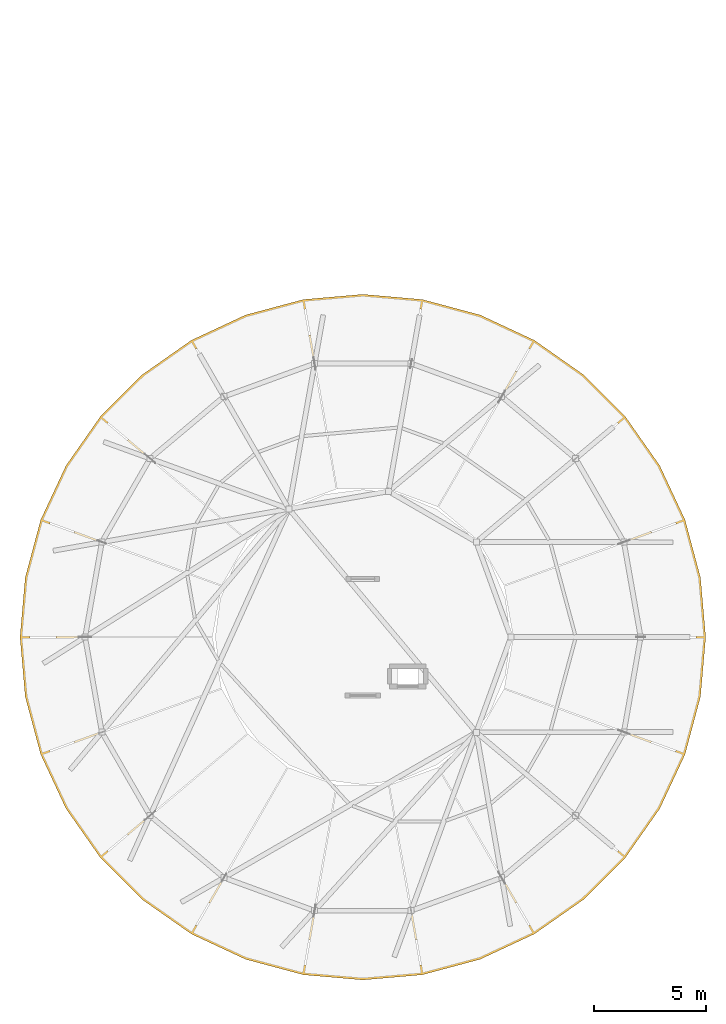
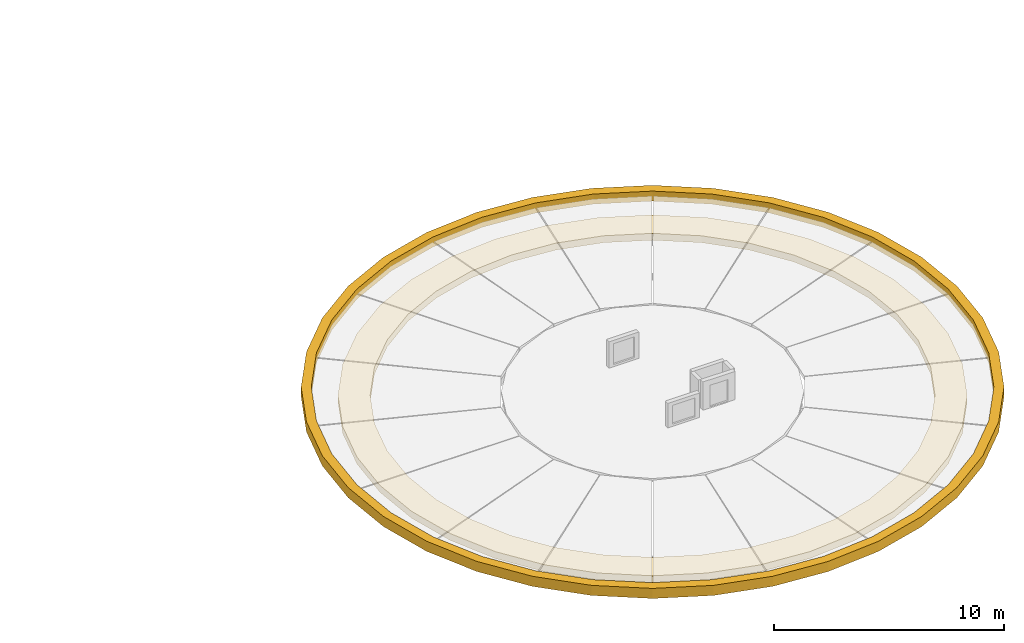
# One storey, part 11 of 14: 2 coverings.
"""IFC4 building model written with IfcOpenShell, lengths in metres."""

from ifc_helpers import new_model, si_unit, direction, frame, origin, place, context, subcontext, project, spatial, polyline, outline, extrude, material, layer, layer_set, type_object, element, save


model = new_model("IFC4")

# Units and contexts
model_context = context("Model", 3, precision=1e-05, world=origin(), true_north=direction((0.0, 1.0)))
body_context = subcontext(model_context, "Body", "Model", "MODEL_VIEW")
ifc_project = project(units=[si_unit("LENGTHUNIT", "METRE"), si_unit("AREAUNIT", "SQUARE_METRE"), si_unit("VOLUMEUNIT", "CUBIC_METRE"), si_unit("PLANEANGLEUNIT", "RADIAN"), si_unit("MASSUNIT", "GRAM", prefix="KILO")], contexts=[model_context])

# Site, building, storey
site_placement = place(None, origin())
site = spatial("IfcSite", under=ifc_project, at=site_placement, CompositionType="ELEMENT")
building_placement = place(site_placement, origin())
building = spatial("IfcBuilding", under=site, at=building_placement, Name="Aldenvaro Health Centre", CompositionType="ELEMENT")
storey_placement = place(building_placement, frame((0.0, 0.0, 21.35009765625)))
storey = spatial("IfcBuildingStorey", under=building, at=storey_placement, Name="L05", CompositionType="ELEMENT", Elevation=21.35009765625)

# Coverings
ifc_material = material(Name="Honed Sonoran Buff Limestone", Category="masonry")
ifc_layer = layer(ifc_material, 0.280029296875, Name="Honed Sonoran Buff Limestone", Category="masonry")
ifc_layer_set = layer_set([ifc_layer], Name="Honed Sonoran Buff Limestone")
covering_type = type_object("IfcCoveringType", Name="COV-CRN-STN", PredefinedType="CLADDING", material=ifc_layer_set)
covering_1_placement = place(storey_placement, frame((0.0, 0.0, 0.260009765625)))
element("IfcCovering", 1, at=covering_1_placement, inside=storey, type_object=covering_type, Name="D5 Classical Roof Entablature Frieze 1", PredefinedType="CLADDING", context=body_context, shape_type="SweptSolid", body=[
    extrude(outline(polyline([(32.179931640625, 18.5), (31.971923828125, 20.8759765625), (31.35498046875, 23.178955078125), (30.346923828125, 25.340087890625), (28.97900390625, 27.29296875), (27.29296875, 28.97900390625), (25.340087890625, 30.346923828125), (23.178955078125, 31.35498046875), (20.8759765625, 31.971923828125), (18.5, 32.179931640625), (16.1240234375, 31.971923828125), (13.821044921875, 31.35498046875), (11.659912109375, 30.346923828125), (9.70703125, 28.97900390625), (8.02099609375, 27.29296875), (6.653076171875, 25.340087890625), (5.64501953125, 23.178955078125), (5.028076171875, 20.8759765625), (4.820068359375, 18.5), (5.028076171875, 16.1240234375), (5.64501953125, 13.821044921875), (6.653076171875, 11.659912109375), (8.02099609375, 9.70703125), (9.70703125, 8.02099609375), (11.659912109375, 6.653076171875), (13.821044921875, 5.64501953125), (16.1240234375, 5.028076171875), (18.5, 4.820068359375), (20.8759765625, 5.028076171875), (23.178955078125, 5.64501953125), (25.340087890625, 6.653076171875), (27.29296875, 8.02099609375), (28.97900390625, 9.70703125), (30.346923828125, 11.659912109375), (31.35498046875, 13.821044921875), (31.971923828125, 16.1240234375), (32.179931640625, 18.5)]), holes=[polyline([(30.780029296875, 18.5), (30.593017578125, 16.367919921875), (30.0390625, 14.300048828125), (29.135009765625, 12.360107421875), (27.906982421875, 10.60693359375), (26.39306640625, 9.093017578125), (24.639892578125, 7.864990234375), (22.699951171875, 6.9609375), (20.632080078125, 6.406982421875), (18.5, 6.219970703125), (16.367919921875, 6.406982421875), (14.300048828125, 6.9609375), (12.360107421875, 7.864990234375), (10.60693359375, 9.093017578125), (9.093017578125, 10.60693359375), (7.864990234375, 12.360107421875), (6.9609375, 14.300048828125), (6.406982421875, 16.367919921875), (6.219970703125, 18.5), (6.406982421875, 20.632080078125), (6.9609375, 22.699951171875), (7.864990234375, 24.639892578125), (9.093017578125, 26.39306640625), (10.60693359375, 27.906982421875), (12.360107421875, 29.135009765625), (14.300048828125, 30.0390625), (16.367919921875, 30.593017578125), (18.5, 30.780029296875), (20.632080078125, 30.593017578125), (22.699951171875, 30.0390625), (24.639892578125, 29.135009765625), (26.39306640625, 27.906982421875), (27.906982421875, 26.39306640625), (29.135009765625, 24.639892578125), (30.0390625, 22.699951171875), (30.593017578125, 20.632080078125), (30.780029296875, 18.5)])]), origin(), (0.0, 0.0, 1.0), 0.364990234375),
])
covering_2_placement = place(storey_placement, frame((0.0, 0.0, 0.539794921875)))
element("IfcCovering", 2, at=covering_2_placement, inside=storey, type_object=covering_type, Name="D5 Classical Overhanging Corona and Attic Ring", PredefinedType="CLADDING", context=body_context, shape_type="SweptSolid", body=[
    extrude(outline(polyline([(33.780029296875, 18.5), (33.548095703125, 21.153076171875), (32.85888671875, 23.72607421875), (31.73291015625, 26.139892578125), (30.205078125, 28.322021484375), (28.322021484375, 30.205078125), (26.139892578125, 31.73291015625), (23.72607421875, 32.85888671875), (21.153076171875, 33.548095703125), (18.5, 33.780029296875), (15.846923828125, 33.548095703125), (13.27392578125, 32.85888671875), (10.860107421875, 31.73291015625), (8.677978515625, 30.205078125), (6.794921875, 28.322021484375), (5.26708984375, 26.139892578125), (4.14111328125, 23.72607421875), (3.451904296875, 21.153076171875), (3.219970703125, 18.5), (3.451904296875, 15.846923828125), (4.14111328125, 13.27392578125), (5.26708984375, 10.860107421875), (6.794921875, 8.677978515625), (8.677978515625, 6.794921875), (10.860107421875, 5.26708984375), (13.27392578125, 4.14111328125), (15.846923828125, 3.451904296875), (18.5, 3.219970703125), (21.153076171875, 3.451904296875), (23.72607421875, 4.14111328125), (26.139892578125, 5.26708984375), (28.322021484375, 6.794921875), (30.205078125, 8.677978515625), (31.73291015625, 10.860107421875), (32.85888671875, 13.27392578125), (33.548095703125, 15.846923828125), (33.780029296875, 18.5)]), holes=[polyline([(33.340087890625, 18.5), (33.114990234375, 15.923095703125), (32.445068359375, 13.424072265625), (31.35205078125, 11.080078125), (29.867919921875, 8.9609375), (28.0390625, 7.132080078125), (25.919921875, 5.64794921875), (23.575927734375, 4.554931640625), (21.076904296875, 3.885009765625), (18.5, 3.659912109375), (15.923095703125, 3.885009765625), (13.424072265625, 4.554931640625), (11.080078125, 5.64794921875), (8.9609375, 7.132080078125), (7.132080078125, 8.9609375), (5.64794921875, 11.080078125), (4.554931640625, 13.424072265625), (3.885009765625, 15.923095703125), (3.659912109375, 18.5), (3.885009765625, 21.076904296875), (4.554931640625, 23.575927734375), (5.64794921875, 25.919921875), (7.132080078125, 28.0390625), (8.9609375, 29.867919921875), (11.080078125, 31.35205078125), (13.424072265625, 32.445068359375), (15.923095703125, 33.114990234375), (18.5, 33.340087890625), (21.076904296875, 33.114990234375), (23.575927734375, 32.445068359375), (25.919921875, 31.35205078125), (28.0390625, 29.867919921875), (29.867919921875, 28.0390625), (31.35205078125, 25.919921875), (32.445068359375, 23.575927734375), (33.114990234375, 21.076904296875), (33.340087890625, 18.5)])]), origin(), (0.0, 0.0, 1.0), 0.53515625),
])

save(model, "model.ifc")
